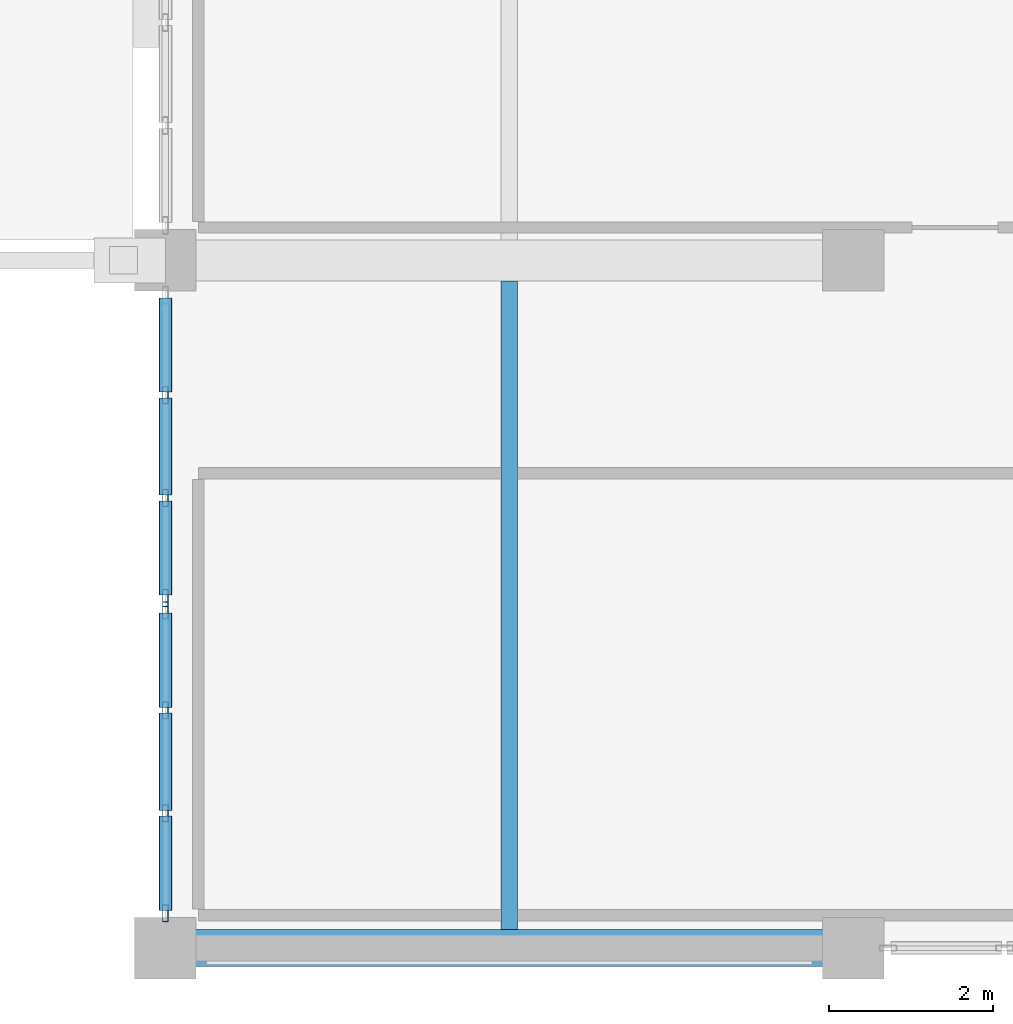
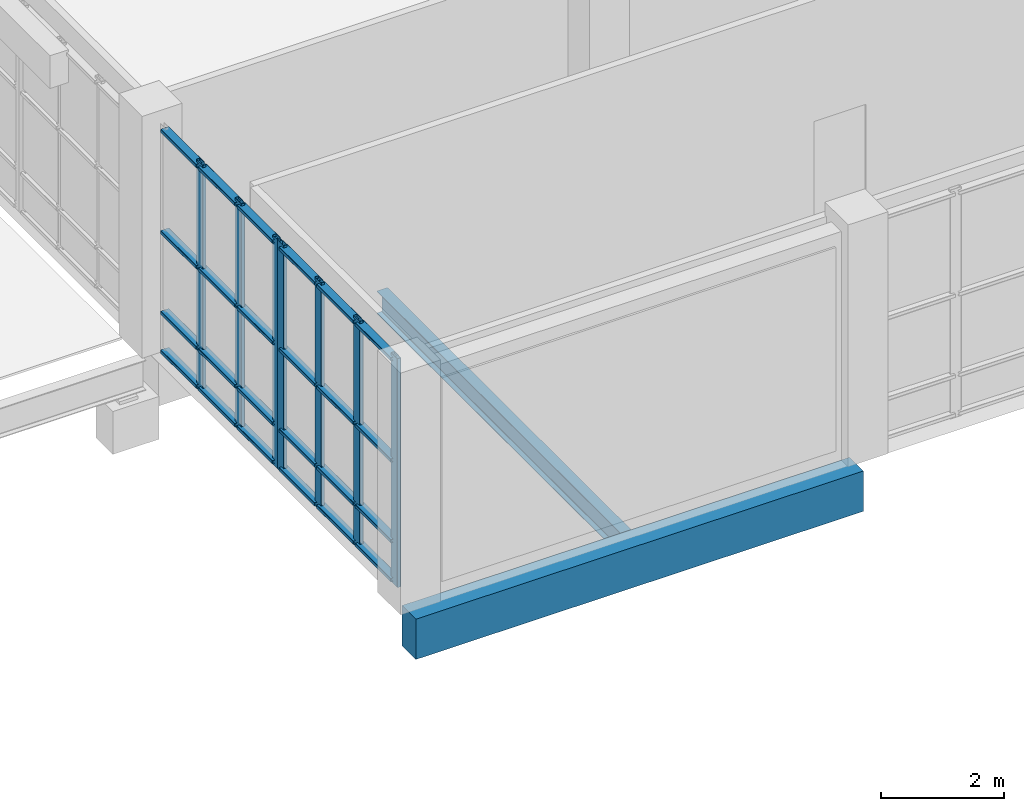
# One storey, part 18 of 106: 31 members, 2 beams, 2 elements without a shape of their own.
"""IFC4 building model written with IfcOpenShell, lengths in metres."""

from ifc_helpers import new_model, si_unit, direction, frame, origin, origin_2d, place, context, subcontext, project, spatial, rectangle, hollow_rectangle, i_section, extrude, material, layer, layer_set, material_profile, profile_set, type_object, element, aggregate, save


model = new_model("IFC4")

# Units and contexts
model_context = context("Model", 3, precision=1e-05, world=origin(), true_north=direction((0.0, 1.0)))
body_context = subcontext(model_context, "Body", "Model", "MODEL_VIEW")
ifc_project = project(units=[si_unit("LENGTHUNIT", "METRE"), si_unit("AREAUNIT", "SQUARE_METRE"), si_unit("VOLUMEUNIT", "CUBIC_METRE"), si_unit("PLANEANGLEUNIT", "RADIAN"), si_unit("MASSUNIT", "GRAM", prefix="KILO")], contexts=[model_context])

# Site, building, storey
site_placement = place(None, origin())
site = spatial("IfcSite", under=ifc_project, at=site_placement, CompositionType="ELEMENT")
building_placement = place(site_placement, origin())
building = spatial("IfcBuilding", under=site, at=building_placement, Name="Kisaragi Civic Commons", CompositionType="ELEMENT")
storey_placement = place(building_placement, frame((0.0, 0.0, 4.800048828125)))
storey = spatial("IfcBuildingStorey", under=building, at=storey_placement, Name="L01", CompositionType="ELEMENT", Elevation=4.800048828125)

# Curtain wall, members
ifc_material_1 = material(Name="Thermally broken anodized aluminium and low-E double glazing", Category="aluminium")
ifc_layer = layer(ifc_material_1, 0.2099609375, Name="Thermally broken anodized aluminium and low-E double glazing", Category="aluminium")
ifc_layer_set = layer_set([ifc_layer], Name="Thermally broken anodized aluminium and low-E double glazing")
curtain_wall_type = type_object("IfcCurtainWallType", Name="CW-02", PredefinedType="NOTDEFINED", material=ifc_layer_set)
curtain_wall_1_placement = place(storey_placement, origin())
curtain_wall_1 = element("IfcCurtainWall", 1, at=curtain_wall_1_placement, inside=storey, type_object=curtain_wall_type, Name="L01 curtain wall CW-02 CW-V3-L01-035", PredefinedType="NOTDEFINED")
ifc_material_profile_1 = material_profile(ifc_material_1, hollow_rectangle(XDim=0.070068359375, YDim=0.2099609375, WallThickness=0.0048828125, InnerFilletRadius=0.0048828125, OuterFilletRadius=0.010009765625, at=origin_2d()), Name="CWM-70x210x5", Category="aluminium")
ifc_profile_set_1 = profile_set([ifc_material_profile_1], Name="Thermally broken anodized aluminium and low-E double glazing")
member_type_1 = type_object("IfcMemberType", Name="CWM-03", PredefinedType="MULLION", material=ifc_profile_set_1)
member_1_placement = place(storey_placement, frame((105.60009765625, 0.425048828125, 0.0), z_axis=(0.0, 0.0, 1.0), x_axis=(-1.0, 0.0, 0.0)))
member_1 = element("IfcMember", 2, at=member_1_placement, type_object=member_type_1, Name="CW-02 mullion 1", PredefinedType="MULLION", context=body_context, shape_type="SweptSolid", body=[
    extrude(hollow_rectangle(XDim=0.070068359375, YDim=0.2099609375, WallThickness=0.0048828125, InnerFilletRadius=0.0048828125, OuterFilletRadius=0.010009765625, at=origin_2d()), origin(), (0.0, 0.0, 1.0), 4.5400390625),
])
member_2_placement = place(storey_placement, frame((105.60009765625, 1.646728515625, 0.0), z_axis=(0.0, 0.0, 1.0), x_axis=(-1.0, 0.0, 0.0)))
member_2 = element("IfcMember", 3, at=member_2_placement, type_object=member_type_1, Name="CW-02 mullion 2", PredefinedType="MULLION", context=body_context, shape_type="SweptSolid", body=[
    extrude(hollow_rectangle(XDim=0.070068359375, YDim=0.2099609375, WallThickness=0.0048828125, InnerFilletRadius=0.0048828125, OuterFilletRadius=0.010009765625, at=origin_2d()), origin(), (0.0, 0.0, 1.0), 4.5400390625),
])
member_3_placement = place(storey_placement, frame((105.60009765625, 2.9033203125, 0.0), z_axis=(0.0, 0.0, 1.0), x_axis=(-1.0, 0.0, 0.0)))
member_3 = element("IfcMember", 4, at=member_3_placement, type_object=member_type_1, Name="CW-02 mullion 3", PredefinedType="MULLION", context=body_context, shape_type="SweptSolid", body=[
    extrude(hollow_rectangle(XDim=0.070068359375, YDim=0.2099609375, WallThickness=0.0048828125, InnerFilletRadius=0.0048828125, OuterFilletRadius=0.010009765625, at=origin_2d()), origin(), (0.0, 0.0, 1.0), 4.5400390625),
])
member_4_placement = place(storey_placement, frame((105.60009765625, 4.125, 0.0), z_axis=(0.0, 0.0, 1.0), x_axis=(-1.0, 0.0, 0.0)))
member_4 = element("IfcMember", 5, at=member_4_placement, type_object=member_type_1, Name="CW-02 mullion 4", PredefinedType="MULLION", context=body_context, shape_type="SweptSolid", body=[
    extrude(hollow_rectangle(XDim=0.070068359375, YDim=0.2099609375, WallThickness=0.0048828125, InnerFilletRadius=0.0048828125, OuterFilletRadius=0.010009765625, at=origin_2d()), origin(), (0.0, 0.0, 1.0), 4.5400390625),
])

curtain_wall_2_placement = place(storey_placement, origin())
curtain_wall_2 = element("IfcCurtainWall", 6, at=curtain_wall_2_placement, inside=storey, type_object=curtain_wall_type, Name="L01 curtain wall CW-02 CW-V3-L01-036", PredefinedType="NOTDEFINED")
member_5_placement = place(storey_placement, frame((105.60009765625, 4.27490234375, 0.0), z_axis=(0.0, 0.0, 1.0), x_axis=(-1.0, 0.0, 0.0)))
member_5 = element("IfcMember", 7, at=member_5_placement, type_object=member_type_1, Name="CW-02 mullion 1", PredefinedType="MULLION", context=body_context, shape_type="SweptSolid", body=[
    extrude(hollow_rectangle(XDim=0.070068359375, YDim=0.2099609375, WallThickness=0.0048828125, InnerFilletRadius=0.0048828125, OuterFilletRadius=0.010009765625, at=origin_2d()), origin(), (0.0, 0.0, 1.0), 4.5400390625),
])
member_6_placement = place(storey_placement, frame((105.60009765625, 5.49658203125, 0.0), z_axis=(0.0, 0.0, 1.0), x_axis=(-1.0, 0.0, 0.0)))
member_6 = element("IfcMember", 8, at=member_6_placement, type_object=member_type_1, Name="CW-02 mullion 2", PredefinedType="MULLION", context=body_context, shape_type="SweptSolid", body=[
    extrude(hollow_rectangle(XDim=0.070068359375, YDim=0.2099609375, WallThickness=0.0048828125, InnerFilletRadius=0.0048828125, OuterFilletRadius=0.010009765625, at=origin_2d()), origin(), (0.0, 0.0, 1.0), 4.5400390625),
])
member_7_placement = place(storey_placement, frame((105.60009765625, 6.75341796875, 0.0), z_axis=(0.0, 0.0, 1.0), x_axis=(-1.0, 0.0, 0.0)))
member_7 = element("IfcMember", 9, at=member_7_placement, type_object=member_type_1, Name="CW-02 mullion 3", PredefinedType="MULLION", context=body_context, shape_type="SweptSolid", body=[
    extrude(hollow_rectangle(XDim=0.070068359375, YDim=0.2099609375, WallThickness=0.0048828125, InnerFilletRadius=0.0048828125, OuterFilletRadius=0.010009765625, at=origin_2d()), origin(), (0.0, 0.0, 1.0), 4.5400390625),
])

# Member
ifc_material_profile_2 = material_profile(ifc_material_1, hollow_rectangle(XDim=0.159912109375, YDim=0.070068359375, WallThickness=0.0048828125, InnerFilletRadius=0.0048828125, OuterFilletRadius=0.010009765625, at=origin_2d()), Name="CWT-70x160x5", Category="aluminium")
ifc_profile_set_2 = profile_set([ifc_material_profile_2], Name="Thermally broken anodized aluminium and low-E double glazing")
member_type_2 = type_object("IfcMemberType", Name="CWT-03", PredefinedType="USERDEFINED", material=ifc_profile_set_2)
member_8_placement = place(storey_placement, frame((105.60009765625, 0.4599609375, 0.079833984375), z_axis=(0.0, 1.0, 0.0), x_axis=(-1.0, 0.0, 0.0)))
member_8 = element("IfcMember", 10, at=member_8_placement, type_object=member_type_2, Name="CW-02 transom 1.1", ObjectType="TRANSOM", PredefinedType="USERDEFINED", context=body_context, shape_type="SweptSolid", body=[
    extrude(hollow_rectangle(XDim=0.159912109375, YDim=0.070068359375, WallThickness=0.0048828125, InnerFilletRadius=0.0048828125, OuterFilletRadius=0.010009765625, at=origin_2d()), origin(), (0.0, 0.0, 1.0), 1.151611328125),
])

member_9_placement = place(storey_placement, frame((105.60009765625, 0.4599609375, 0.849853515625), z_axis=(0.0, 1.0, 0.0), x_axis=(-1.0, 0.0, 0.0)))
member_9 = element("IfcMember", 11, at=member_9_placement, type_object=member_type_2, Name="CW-02 transom 1.2", ObjectType="TRANSOM", PredefinedType="USERDEFINED", context=body_context, shape_type="SweptSolid", body=[
    extrude(hollow_rectangle(XDim=0.159912109375, YDim=0.070068359375, WallThickness=0.0048828125, InnerFilletRadius=0.0048828125, OuterFilletRadius=0.010009765625, at=origin_2d()), origin(), (0.0, 0.0, 1.0), 1.151611328125),
])

member_10_placement = place(storey_placement, frame((105.60009765625, 0.4599609375, 2.449951171875), z_axis=(0.0, 1.0, 0.0), x_axis=(-1.0, 0.0, 0.0)))
member_10 = element("IfcMember", 12, at=member_10_placement, type_object=member_type_2, Name="CW-02 transom 1.3", ObjectType="TRANSOM", PredefinedType="USERDEFINED", context=body_context, shape_type="SweptSolid", body=[
    extrude(hollow_rectangle(XDim=0.159912109375, YDim=0.070068359375, WallThickness=0.0048828125, InnerFilletRadius=0.0048828125, OuterFilletRadius=0.010009765625, at=origin_2d()), origin(), (0.0, 0.0, 1.0), 1.151611328125),
])

member_11_placement = place(storey_placement, frame((105.60009765625, 0.4599609375, 4.4599609375), z_axis=(0.0, 1.0, 0.0), x_axis=(-1.0, 0.0, 0.0)))
member_11 = element("IfcMember", 13, at=member_11_placement, type_object=member_type_2, Name="CW-02 transom 1.4", ObjectType="TRANSOM", PredefinedType="USERDEFINED", context=body_context, shape_type="SweptSolid", body=[
    extrude(hollow_rectangle(XDim=0.159912109375, YDim=0.070068359375, WallThickness=0.0048828125, InnerFilletRadius=0.0048828125, OuterFilletRadius=0.010009765625, at=origin_2d()), origin(), (0.0, 0.0, 1.0), 1.151611328125),
])

member_12_placement = place(storey_placement, frame((105.60009765625, 1.681640625, 0.079833984375), z_axis=(0.0, 1.0, 0.0), x_axis=(-1.0, 0.0, 0.0)))
member_12 = element("IfcMember", 14, at=member_12_placement, type_object=member_type_2, Name="CW-02 transom 2.1", ObjectType="TRANSOM", PredefinedType="USERDEFINED", context=body_context, shape_type="SweptSolid", body=[
    extrude(hollow_rectangle(XDim=0.159912109375, YDim=0.070068359375, WallThickness=0.0048828125, InnerFilletRadius=0.0048828125, OuterFilletRadius=0.010009765625, at=origin_2d()), origin(), (0.0, 0.0, 1.0), 1.186767578125),
])

member_13_placement = place(storey_placement, frame((105.60009765625, 1.681640625, 0.849853515625), z_axis=(0.0, 1.0, 0.0), x_axis=(-1.0, 0.0, 0.0)))
member_13 = element("IfcMember", 15, at=member_13_placement, type_object=member_type_2, Name="CW-02 transom 2.2", ObjectType="TRANSOM", PredefinedType="USERDEFINED", context=body_context, shape_type="SweptSolid", body=[
    extrude(hollow_rectangle(XDim=0.159912109375, YDim=0.070068359375, WallThickness=0.0048828125, InnerFilletRadius=0.0048828125, OuterFilletRadius=0.010009765625, at=origin_2d()), origin(), (0.0, 0.0, 1.0), 1.186767578125),
])

member_14_placement = place(storey_placement, frame((105.60009765625, 1.681640625, 2.449951171875), z_axis=(0.0, 1.0, 0.0), x_axis=(-1.0, 0.0, 0.0)))
member_14 = element("IfcMember", 16, at=member_14_placement, type_object=member_type_2, Name="CW-02 transom 2.3", ObjectType="TRANSOM", PredefinedType="USERDEFINED", context=body_context, shape_type="SweptSolid", body=[
    extrude(hollow_rectangle(XDim=0.159912109375, YDim=0.070068359375, WallThickness=0.0048828125, InnerFilletRadius=0.0048828125, OuterFilletRadius=0.010009765625, at=origin_2d()), origin(), (0.0, 0.0, 1.0), 1.186767578125),
])

member_15_placement = place(storey_placement, frame((105.60009765625, 1.681640625, 4.4599609375), z_axis=(0.0, 1.0, 0.0), x_axis=(-1.0, 0.0, 0.0)))
member_15 = element("IfcMember", 17, at=member_15_placement, type_object=member_type_2, Name="CW-02 transom 2.4", ObjectType="TRANSOM", PredefinedType="USERDEFINED", context=body_context, shape_type="SweptSolid", body=[
    extrude(hollow_rectangle(XDim=0.159912109375, YDim=0.070068359375, WallThickness=0.0048828125, InnerFilletRadius=0.0048828125, OuterFilletRadius=0.010009765625, at=origin_2d()), origin(), (0.0, 0.0, 1.0), 1.186767578125),
])

member_16_placement = place(storey_placement, frame((105.60009765625, 2.938232421875, 0.079833984375), z_axis=(0.0, 1.0, 0.0), x_axis=(-1.0, 0.0, 0.0)))
member_16 = element("IfcMember", 18, at=member_16_placement, type_object=member_type_2, Name="CW-02 transom 3.1", ObjectType="TRANSOM", PredefinedType="USERDEFINED", context=body_context, shape_type="SweptSolid", body=[
    extrude(hollow_rectangle(XDim=0.159912109375, YDim=0.070068359375, WallThickness=0.0048828125, InnerFilletRadius=0.0048828125, OuterFilletRadius=0.010009765625, at=origin_2d()), origin(), (0.0, 0.0, 1.0), 1.15185546875),
])

member_17_placement = place(storey_placement, frame((105.60009765625, 2.938232421875, 0.849853515625), z_axis=(0.0, 1.0, 0.0), x_axis=(-1.0, 0.0, 0.0)))
member_17 = element("IfcMember", 19, at=member_17_placement, type_object=member_type_2, Name="CW-02 transom 3.2", ObjectType="TRANSOM", PredefinedType="USERDEFINED", context=body_context, shape_type="SweptSolid", body=[
    extrude(hollow_rectangle(XDim=0.159912109375, YDim=0.070068359375, WallThickness=0.0048828125, InnerFilletRadius=0.0048828125, OuterFilletRadius=0.010009765625, at=origin_2d()), origin(), (0.0, 0.0, 1.0), 1.15185546875),
])

member_18_placement = place(storey_placement, frame((105.60009765625, 2.938232421875, 2.449951171875), z_axis=(0.0, 1.0, 0.0), x_axis=(-1.0, 0.0, 0.0)))
member_18 = element("IfcMember", 20, at=member_18_placement, type_object=member_type_2, Name="CW-02 transom 3.3", ObjectType="TRANSOM", PredefinedType="USERDEFINED", context=body_context, shape_type="SweptSolid", body=[
    extrude(hollow_rectangle(XDim=0.159912109375, YDim=0.070068359375, WallThickness=0.0048828125, InnerFilletRadius=0.0048828125, OuterFilletRadius=0.010009765625, at=origin_2d()), origin(), (0.0, 0.0, 1.0), 1.15185546875),
])

member_19_placement = place(storey_placement, frame((105.60009765625, 2.938232421875, 4.4599609375), z_axis=(0.0, 1.0, 0.0), x_axis=(-1.0, 0.0, 0.0)))
member_19 = element("IfcMember", 21, at=member_19_placement, type_object=member_type_2, Name="CW-02 transom 3.4", ObjectType="TRANSOM", PredefinedType="USERDEFINED", context=body_context, shape_type="SweptSolid", body=[
    extrude(hollow_rectangle(XDim=0.159912109375, YDim=0.070068359375, WallThickness=0.0048828125, InnerFilletRadius=0.0048828125, OuterFilletRadius=0.010009765625, at=origin_2d()), origin(), (0.0, 0.0, 1.0), 1.15185546875),
])

aggregate(curtain_wall_1, [member_1, member_2, member_3, member_4, member_8, member_9, member_10, member_11, member_12, member_13, member_14, member_15, member_16, member_17, member_18, member_19])

member_20_placement = place(storey_placement, frame((105.60009765625, 4.31005859375, 0.079833984375), z_axis=(0.0, 1.0, 0.0), x_axis=(-1.0, 0.0, 0.0)))
member_20 = element("IfcMember", 22, at=member_20_placement, type_object=member_type_2, Name="CW-02 transom 1.1", ObjectType="TRANSOM", PredefinedType="USERDEFINED", context=body_context, shape_type="SweptSolid", body=[
    extrude(hollow_rectangle(XDim=0.159912109375, YDim=0.070068359375, WallThickness=0.0048828125, InnerFilletRadius=0.0048828125, OuterFilletRadius=0.010009765625, at=origin_2d()), origin(), (0.0, 0.0, 1.0), 1.151611328125),
])

member_21_placement = place(storey_placement, frame((105.60009765625, 4.31005859375, 0.849853515625), z_axis=(0.0, 1.0, 0.0), x_axis=(-1.0, 0.0, 0.0)))
member_21 = element("IfcMember", 23, at=member_21_placement, type_object=member_type_2, Name="CW-02 transom 1.2", ObjectType="TRANSOM", PredefinedType="USERDEFINED", context=body_context, shape_type="SweptSolid", body=[
    extrude(hollow_rectangle(XDim=0.159912109375, YDim=0.070068359375, WallThickness=0.0048828125, InnerFilletRadius=0.0048828125, OuterFilletRadius=0.010009765625, at=origin_2d()), origin(), (0.0, 0.0, 1.0), 1.151611328125),
])

member_22_placement = place(storey_placement, frame((105.60009765625, 4.31005859375, 2.449951171875), z_axis=(0.0, 1.0, 0.0), x_axis=(-1.0, 0.0, 0.0)))
member_22 = element("IfcMember", 24, at=member_22_placement, type_object=member_type_2, Name="CW-02 transom 1.3", ObjectType="TRANSOM", PredefinedType="USERDEFINED", context=body_context, shape_type="SweptSolid", body=[
    extrude(hollow_rectangle(XDim=0.159912109375, YDim=0.070068359375, WallThickness=0.0048828125, InnerFilletRadius=0.0048828125, OuterFilletRadius=0.010009765625, at=origin_2d()), origin(), (0.0, 0.0, 1.0), 1.151611328125),
])

member_23_placement = place(storey_placement, frame((105.60009765625, 4.31005859375, 4.4599609375), z_axis=(0.0, 1.0, 0.0), x_axis=(-1.0, 0.0, 0.0)))
member_23 = element("IfcMember", 25, at=member_23_placement, type_object=member_type_2, Name="CW-02 transom 1.4", ObjectType="TRANSOM", PredefinedType="USERDEFINED", context=body_context, shape_type="SweptSolid", body=[
    extrude(hollow_rectangle(XDim=0.159912109375, YDim=0.070068359375, WallThickness=0.0048828125, InnerFilletRadius=0.0048828125, OuterFilletRadius=0.010009765625, at=origin_2d()), origin(), (0.0, 0.0, 1.0), 1.151611328125),
])

member_24_placement = place(storey_placement, frame((105.60009765625, 5.53173828125, 0.079833984375), z_axis=(0.0, 1.0, 0.0), x_axis=(-1.0, 0.0, 0.0)))
member_24 = element("IfcMember", 26, at=member_24_placement, type_object=member_type_2, Name="CW-02 transom 2.1", ObjectType="TRANSOM", PredefinedType="USERDEFINED", context=body_context, shape_type="SweptSolid", body=[
    extrude(hollow_rectangle(XDim=0.159912109375, YDim=0.070068359375, WallThickness=0.0048828125, InnerFilletRadius=0.0048828125, OuterFilletRadius=0.010009765625, at=origin_2d()), origin(), (0.0, 0.0, 1.0), 1.1865234375),
])

member_25_placement = place(storey_placement, frame((105.60009765625, 5.53173828125, 0.849853515625), z_axis=(0.0, 1.0, 0.0), x_axis=(-1.0, 0.0, 0.0)))
member_25 = element("IfcMember", 27, at=member_25_placement, type_object=member_type_2, Name="CW-02 transom 2.2", ObjectType="TRANSOM", PredefinedType="USERDEFINED", context=body_context, shape_type="SweptSolid", body=[
    extrude(hollow_rectangle(XDim=0.159912109375, YDim=0.070068359375, WallThickness=0.0048828125, InnerFilletRadius=0.0048828125, OuterFilletRadius=0.010009765625, at=origin_2d()), origin(), (0.0, 0.0, 1.0), 1.1865234375),
])

member_26_placement = place(storey_placement, frame((105.60009765625, 5.53173828125, 2.449951171875), z_axis=(0.0, 1.0, 0.0), x_axis=(-1.0, 0.0, 0.0)))
member_26 = element("IfcMember", 28, at=member_26_placement, type_object=member_type_2, Name="CW-02 transom 2.3", ObjectType="TRANSOM", PredefinedType="USERDEFINED", context=body_context, shape_type="SweptSolid", body=[
    extrude(hollow_rectangle(XDim=0.159912109375, YDim=0.070068359375, WallThickness=0.0048828125, InnerFilletRadius=0.0048828125, OuterFilletRadius=0.010009765625, at=origin_2d()), origin(), (0.0, 0.0, 1.0), 1.1865234375),
])

member_27_placement = place(storey_placement, frame((105.60009765625, 5.53173828125, 4.4599609375), z_axis=(0.0, 1.0, 0.0), x_axis=(-1.0, 0.0, 0.0)))
member_27 = element("IfcMember", 29, at=member_27_placement, type_object=member_type_2, Name="CW-02 transom 2.4", ObjectType="TRANSOM", PredefinedType="USERDEFINED", context=body_context, shape_type="SweptSolid", body=[
    extrude(hollow_rectangle(XDim=0.159912109375, YDim=0.070068359375, WallThickness=0.0048828125, InnerFilletRadius=0.0048828125, OuterFilletRadius=0.010009765625, at=origin_2d()), origin(), (0.0, 0.0, 1.0), 1.1865234375),
])

member_28_placement = place(storey_placement, frame((105.60009765625, 6.788330078125, 0.079833984375), z_axis=(0.0, 1.0, 0.0), x_axis=(-1.0, 0.0, 0.0)))
member_28 = element("IfcMember", 30, at=member_28_placement, type_object=member_type_2, Name="CW-02 transom 3.1", ObjectType="TRANSOM", PredefinedType="USERDEFINED", context=body_context, shape_type="SweptSolid", body=[
    extrude(hollow_rectangle(XDim=0.159912109375, YDim=0.070068359375, WallThickness=0.0048828125, InnerFilletRadius=0.0048828125, OuterFilletRadius=0.010009765625, at=origin_2d()), origin(), (0.0, 0.0, 1.0), 1.151611328125),
])

member_29_placement = place(storey_placement, frame((105.60009765625, 6.788330078125, 0.849853515625), z_axis=(0.0, 1.0, 0.0), x_axis=(-1.0, 0.0, 0.0)))
member_29 = element("IfcMember", 31, at=member_29_placement, type_object=member_type_2, Name="CW-02 transom 3.2", ObjectType="TRANSOM", PredefinedType="USERDEFINED", context=body_context, shape_type="SweptSolid", body=[
    extrude(hollow_rectangle(XDim=0.159912109375, YDim=0.070068359375, WallThickness=0.0048828125, InnerFilletRadius=0.0048828125, OuterFilletRadius=0.010009765625, at=origin_2d()), origin(), (0.0, 0.0, 1.0), 1.151611328125),
])

member_30_placement = place(storey_placement, frame((105.60009765625, 6.788330078125, 2.449951171875), z_axis=(0.0, 1.0, 0.0), x_axis=(-1.0, 0.0, 0.0)))
member_30 = element("IfcMember", 32, at=member_30_placement, type_object=member_type_2, Name="CW-02 transom 3.3", ObjectType="TRANSOM", PredefinedType="USERDEFINED", context=body_context, shape_type="SweptSolid", body=[
    extrude(hollow_rectangle(XDim=0.159912109375, YDim=0.070068359375, WallThickness=0.0048828125, InnerFilletRadius=0.0048828125, OuterFilletRadius=0.010009765625, at=origin_2d()), origin(), (0.0, 0.0, 1.0), 1.151611328125),
])

member_31_placement = place(storey_placement, frame((105.60009765625, 6.788330078125, 4.4599609375), z_axis=(0.0, 1.0, 0.0), x_axis=(-1.0, 0.0, 0.0)))
member_31 = element("IfcMember", 33, at=member_31_placement, type_object=member_type_2, Name="CW-02 transom 3.4", ObjectType="TRANSOM", PredefinedType="USERDEFINED", context=body_context, shape_type="SweptSolid", body=[
    extrude(hollow_rectangle(XDim=0.159912109375, YDim=0.070068359375, WallThickness=0.0048828125, InnerFilletRadius=0.0048828125, OuterFilletRadius=0.010009765625, at=origin_2d()), origin(), (0.0, 0.0, 1.0), 1.151611328125),
])

aggregate(curtain_wall_2, [member_5, member_6, member_7, member_20, member_21, member_22, member_23, member_24, member_25, member_26, member_27, member_28, member_29, member_30, member_31])

# Beams
ifc_material_2 = material(Name="Steel SN490 (SN490B)", Category="steel")
ifc_material_profile_3 = material_profile(ifc_material_2, i_section(OverallWidth=0.199951171875, OverallDepth=0.449951171875, WebThickness=0.009033203125, FlangeThickness=0.013916015625, FilletRadius=0.012939453125, at=origin_2d()), Name="H-450x200x9x14", Category="steel")
ifc_profile_set_3 = profile_set([ifc_material_profile_3], Name="Steel SN490 (SN490B)")
beam_type_1 = type_object("IfcBeamType", Name="J-04", PredefinedType="JOIST", material=ifc_profile_set_3)
beam_1_placement = place(storey_placement, frame((109.800048828125, 0.22509765625, -0.530029296875), z_axis=(0.0, 1.0, 0.0), x_axis=(-1.0, 0.0, 0.0)))
element("IfcBeam", 34, at=beam_1_placement, inside=storey, type_object=beam_type_1, Name="L01 secondary steel joist J-04 43", PredefinedType="JOIST", context=body_context, shape_type="SweptSolid", body=[
    extrude(i_section(OverallWidth=0.199951171875, OverallDepth=0.449951171875, WebThickness=0.009033203125, FlangeThickness=0.013916015625, FilletRadius=0.012939453125, at=origin_2d()), origin(), (0.0, 0.0, 1.0), 7.9248046875),
])
ifc_material_3 = material(Name="Concrete Fc30", Category="concrete")
ifc_material_profile_4 = material_profile(ifc_material_3, rectangle(XDim=0.449951171875, YDim=0.800048828125, at=origin_2d()), Name="RC-450x800", Category="concrete")
ifc_profile_set_4 = profile_set([ifc_material_profile_4], Name="Concrete Fc30")
beam_type_2 = type_object("IfcBeamType", Name="SPB-01", PredefinedType="SPANDREL", material=ifc_profile_set_4)
beam_2_placement = place(storey_placement, frame((105.60009765625, 0.0, -0.705078125), z_axis=(1.0, 0.0, 0.0), x_axis=(0.0, 1.0, 0.0)))
element("IfcBeam", 35, at=beam_2_placement, inside=storey, type_object=beam_type_2, Name="L01 girder SPB-01 204", PredefinedType="SPANDREL", context=body_context, shape_type="SweptSolid", body=[
    extrude(rectangle(XDim=0.449951171875, YDim=0.800048828125, at=origin_2d()), origin(), (0.0, 0.0, 1.0), 8.39990234375),
])

save(model, "model.ifc")
